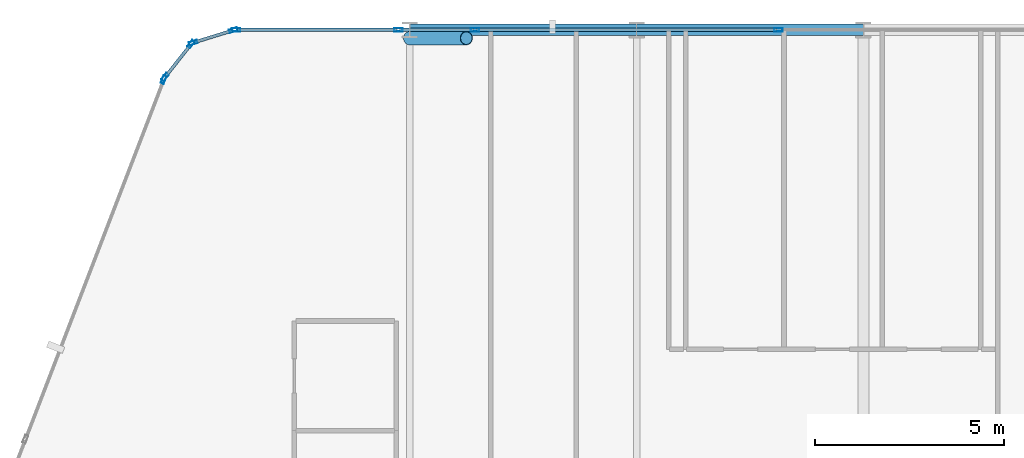
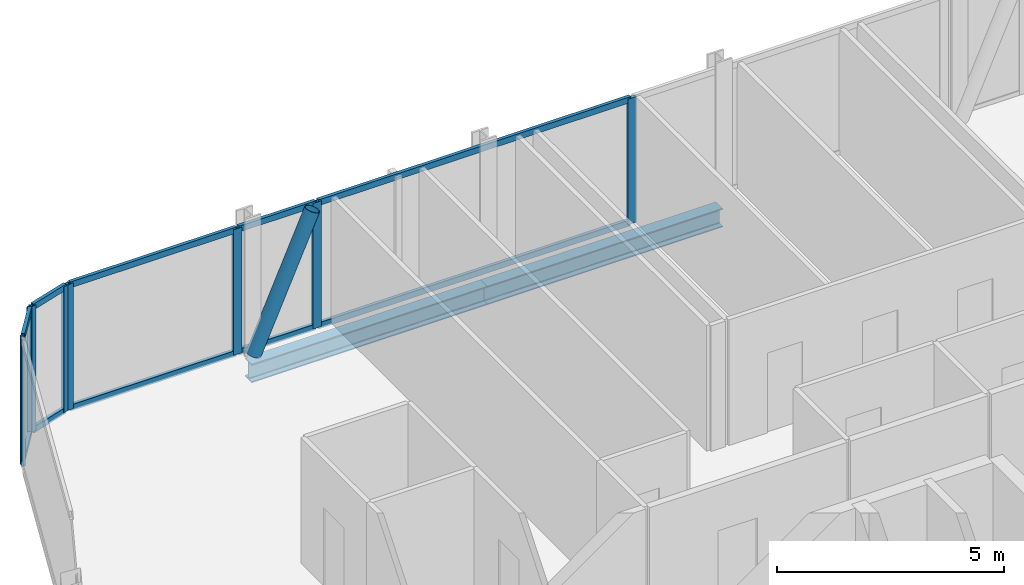
# One storey, part 13 of 34: 20 members, 2 beams, 6 elements without a shape of their own.
"""IFC4 building model written with IfcOpenShell, lengths in metres."""

from ifc_helpers import new_model, si_unit, direction, frame, origin, origin_2d, place, context, subcontext, project, spatial, hollow_rectangle, hollow_circle, i_section, extrude, material, layer, layer_set, material_profile, profile_set, type_object, element, aggregate, save


model = new_model("IFC4")

# Units and contexts
model_context = context("Model", 3, precision=1e-05, world=origin(), true_north=direction((0.0, 1.0)))
body_context = subcontext(model_context, "Body", "Model", "MODEL_VIEW")
ifc_project = project(units=[si_unit("LENGTHUNIT", "METRE"), si_unit("AREAUNIT", "SQUARE_METRE"), si_unit("VOLUMEUNIT", "CUBIC_METRE"), si_unit("PLANEANGLEUNIT", "RADIAN"), si_unit("MASSUNIT", "GRAM", prefix="KILO")], contexts=[model_context])

# Site, building, storey
site_placement = place(None, origin())
site = spatial("IfcSite", under=ifc_project, at=site_placement, CompositionType="ELEMENT")
building_placement = place(site_placement, origin())
building = spatial("IfcBuilding", under=site, at=building_placement, Name="Keshet Zoharim Tower", CompositionType="ELEMENT")
storey_placement = place(building_placement, frame((0.0, 0.0, 38.800048828125)))
storey = spatial("IfcBuildingStorey", under=building, at=storey_placement, Name="L08", CompositionType="ELEMENT", Elevation=38.800048828125)

# Beams
ifc_material_1 = material(Name="Steel S355", Category="steel")
ifc_material_profile_1 = material_profile(ifc_material_1, i_section(OverallWidth=0.300048828125, OverallDepth=0.5, WebThickness=0.014404296875, FlangeThickness=0.028076171875, FilletRadius=0.027099609375, at=origin_2d()), Name="HEB500")
ifc_profile_set_1 = profile_set([ifc_material_profile_1], Name="Steel S355")
beam_type = type_object("IfcBeamType", Name="BM-WEB-HB500", PredefinedType="BEAM", material=ifc_profile_set_1)
for number, where, z_axis, x_axis, name in (
    (1, (21.0, 53.89990234375, -0.56494140625), (1.0, 0.0, 0.0), (0.0, 1.0, 0.0), "L08 Primary Girder X-029"),
    (2, (27.0, 53.89990234375, -0.56494140625), (1.0, 0.0, 0.0), (0.0, 1.0, 0.0), "L08 Primary Girder X-030"),
):
    element("IfcBeam", number, at=place(storey_placement, frame(where, z_axis=z_axis, x_axis=x_axis)), inside=storey, type_object=beam_type, Name=name, PredefinedType="BEAM", context=body_context, shape_type="SweptSolid", body=[
        extrude(i_section(OverallWidth=0.300048828125, OverallDepth=0.5, WebThickness=0.014404296875, FlangeThickness=0.028076171875, FilletRadius=0.027099609375, at=origin_2d()), origin(), (0.0, 0.0, 1.0), 6.0),
    ])

# Curtain wall, member
ifc_material_2 = material(Name="Aluminium 6063-T6", Category="aluminium")
ifc_layer_1 = layer(ifc_material_2, 0.179931640625)
ifc_layer_set_1 = layer_set([ifc_layer_1], Name="Aluminium 6063-T6")
curtain_wall_type_1 = type_object("IfcCurtainWallType", Name="CW-SYS-01", PredefinedType="NOTDEFINED", material=ifc_layer_set_1)
curtain_wall_1_placement = place(storey_placement, origin())
curtain_wall_1 = element("IfcCurtainWall", 3, at=curtain_wall_1_placement, inside=storey, type_object=curtain_wall_type_1, Name="L08 Unitised Curtain Wall 04", PredefinedType="NOTDEFINED")
ifc_material_profile_2 = material_profile(ifc_material_2, hollow_rectangle(XDim=0.090087890625, YDim=0.219970703125, WallThickness=0.0048828125, at=origin_2d()), Name="MUL-90x220")
ifc_profile_set_2 = profile_set([ifc_material_profile_2], Name="Aluminium 6063-T6")
member_type_1 = type_object("IfcMemberType", Name="CWM-M22", PredefinedType="MULLION", material=ifc_profile_set_2)
member_1_placement = place(storey_placement, frame((14.494384765625, 52.58544921875, 0.0), z_axis=(0.0, 0.0, 1.0), x_axis=(-0.933341404361, 0.358990003907, 0.0)))
member_1 = element("IfcMember", 4, at=member_1_placement, type_object=member_type_1, Name="CW-01 mullion 4", PredefinedType="MULLION", context=body_context, shape_type="SweptSolid", body=[
    extrude(hollow_rectangle(XDim=0.090087890625, YDim=0.219970703125, WallThickness=0.0048828125, at=origin_2d()), origin(), (0.0, 0.0, 1.0), 3.385009765625),
])
aggregate(curtain_wall_1, [member_1])

# Curtain wall, members
curtain_wall_2_placement = place(storey_placement, origin())
curtain_wall_2 = element("IfcCurtainWall", 5, at=curtain_wall_2_placement, inside=storey, type_object=curtain_wall_type_1, Name="L08 Unitised Curtain Wall 05", PredefinedType="NOTDEFINED")
member_2_placement = place(storey_placement, frame((14.528564453125, 52.6455078125, 0.0), z_axis=(0.0, 0.0, 1.0), x_axis=(-0.785292825205, 0.619124525989, 0.0)))
member_2 = element("IfcMember", 6, at=member_2_placement, type_object=member_type_1, Name="CW-01 mullion 1", PredefinedType="MULLION", context=body_context, shape_type="SweptSolid", body=[
    extrude(hollow_rectangle(XDim=0.090087890625, YDim=0.219970703125, WallThickness=0.0048828125, at=origin_2d()), origin(), (0.0, 0.0, 1.0), 3.385009765625),
])
member_3_placement = place(storey_placement, frame((15.21923828125, 53.521484375, 0.0), z_axis=(0.0, 0.0, 1.0), x_axis=(-0.785292825205, 0.619124525989, 0.0)))
member_3 = element("IfcMember", 7, at=member_3_placement, type_object=member_type_1, Name="CW-01 mullion 2", PredefinedType="MULLION", context=body_context, shape_type="SweptSolid", body=[
    extrude(hollow_rectangle(XDim=0.090087890625, YDim=0.219970703125, WallThickness=0.0048828125, at=origin_2d()), origin(), (0.0, 0.0, 1.0), 3.385009765625),
])

curtain_wall_3_placement = place(storey_placement, origin())
curtain_wall_3 = element("IfcCurtainWall", 8, at=curtain_wall_3_placement, inside=storey, type_object=curtain_wall_type_1, Name="L08 Unitised Curtain Wall 06", PredefinedType="NOTDEFINED")
member_4_placement = place(storey_placement, frame((15.2744140625, 53.559326171875, 0.0), z_axis=(0.0, 0.0, 1.0), x_axis=(-0.295921857984, 0.955212151288, 0.0)))
member_4 = element("IfcMember", 9, at=member_4_placement, type_object=member_type_1, Name="CW-01 mullion 1", PredefinedType="MULLION", context=body_context, shape_type="SweptSolid", body=[
    extrude(hollow_rectangle(XDim=0.090087890625, YDim=0.219970703125, WallThickness=0.0048828125, at=origin_2d()), origin(), (0.0, 0.0, 1.0), 3.385009765625),
])
member_5_placement = place(storey_placement, frame((16.340576171875, 53.8896484375, 0.0), z_axis=(0.0, 0.0, 1.0), x_axis=(-0.295921857984, 0.955212151288, 0.0)))
member_5 = element("IfcMember", 10, at=member_5_placement, type_object=member_type_1, Name="CW-01 mullion 2", PredefinedType="MULLION", context=body_context, shape_type="SweptSolid", body=[
    extrude(hollow_rectangle(XDim=0.090087890625, YDim=0.219970703125, WallThickness=0.0048828125, at=origin_2d()), origin(), (0.0, 0.0, 1.0), 3.385009765625),
])

ifc_layer_2 = layer(ifc_material_2, 0.169921875)
ifc_layer_set_2 = layer_set([ifc_layer_2], Name="Aluminium 6063-T6")
curtain_wall_type_2 = type_object("IfcCurtainWallType", Name="CW-SYS-02", PredefinedType="NOTDEFINED", material=ifc_layer_set_2)
curtain_wall_4_placement = place(storey_placement, origin())
curtain_wall_4 = element("IfcCurtainWall", 11, at=curtain_wall_4_placement, inside=storey, type_object=curtain_wall_type_2, Name="L08 Unitised Curtain Wall 07", PredefinedType="NOTDEFINED")
member_6_placement = place(storey_placement, frame((16.408935546875, 53.89990234375, 0.0), z_axis=(0.0, 0.0, 1.0), x_axis=(0.0, 1.0, 0.0)))
member_6 = element("IfcMember", 12, at=member_6_placement, type_object=member_type_1, Name="CW-02 mullion 1", PredefinedType="MULLION", context=body_context, shape_type="SweptSolid", body=[
    extrude(hollow_rectangle(XDim=0.090087890625, YDim=0.219970703125, WallThickness=0.0048828125, at=origin_2d()), origin(), (0.0, 0.0, 1.0), 3.385009765625),
])
member_7_placement = place(storey_placement, frame((20.702392578125, 53.89990234375, 0.0), z_axis=(0.0, 0.0, 1.0), x_axis=(0.0, 1.0, 0.0)))
member_7 = element("IfcMember", 13, at=member_7_placement, type_object=member_type_1, Name="CW-02 mullion 2", PredefinedType="MULLION", context=body_context, shape_type="SweptSolid", body=[
    extrude(hollow_rectangle(XDim=0.090087890625, YDim=0.219970703125, WallThickness=0.0048828125, at=origin_2d()), origin(), (0.0, 0.0, 1.0), 3.385009765625),
])

# Curtain wall, member
curtain_wall_5_placement = place(storey_placement, origin())
curtain_wall_5 = element("IfcCurtainWall", 14, at=curtain_wall_5_placement, inside=storey, type_object=curtain_wall_type_2, Name="L08 Unitised Curtain Wall 07 Part 2", PredefinedType="NOTDEFINED")
member_8_placement = place(storey_placement, frame((22.7275390625, 53.89990234375, 0.0), z_axis=(0.0, 0.0, 1.0), x_axis=(0.0, 1.0, 0.0)))
member_8 = element("IfcMember", 15, at=member_8_placement, type_object=member_type_1, Name="CW-02 mullion 2", PredefinedType="MULLION", context=body_context, shape_type="SweptSolid", body=[
    extrude(hollow_rectangle(XDim=0.090087890625, YDim=0.219970703125, WallThickness=0.0048828125, at=origin_2d()), origin(), (0.0, 0.0, 1.0), 3.385009765625),
])

curtain_wall_6_placement = place(storey_placement, origin())
curtain_wall_6 = element("IfcCurtainWall", 16, at=curtain_wall_6_placement, inside=storey, type_object=curtain_wall_type_2, Name="L08 Unitised Curtain Wall 07 Part 3", PredefinedType="NOTDEFINED")
member_9_placement = place(storey_placement, frame((30.75, 53.89990234375, 0.0), z_axis=(0.0, 0.0, 1.0), x_axis=(0.0, 1.0, 0.0)))
member_9 = element("IfcMember", 17, at=member_9_placement, type_object=member_type_1, Name="CW-02 mullion 2", PredefinedType="MULLION", context=body_context, shape_type="SweptSolid", body=[
    extrude(hollow_rectangle(XDim=0.090087890625, YDim=0.219970703125, WallThickness=0.0048828125, at=origin_2d()), origin(), (0.0, 0.0, 1.0), 3.385009765625),
])

# Member
ifc_material_profile_3 = material_profile(ifc_material_2, hollow_rectangle(XDim=0.0849609375, YDim=0.159912109375, WallThickness=0.00439453125, at=origin_2d()), Name="TRN-85x160")
ifc_profile_set_3 = profile_set([ifc_material_profile_3], Name="Aluminium 6063-T6")
member_type_2 = type_object("IfcMemberType", Name="CWT-T16", PredefinedType="USERDEFINED", material=ifc_profile_set_3)
member_10_placement = place(storey_placement, frame((14.55029296875, 52.6728515625, 0.034912109375), z_axis=(0.619099165969, 0.78531281837, 0.0), x_axis=(-0.78531281837, 0.619099165969, 0.0)))
member_10 = element("IfcMember", 18, at=member_10_placement, type_object=member_type_2, Name="CW-01 transom 1.1", ObjectType="TRANSOM", PredefinedType="USERDEFINED", context=body_context, shape_type="SweptSolid", body=[
    extrude(hollow_rectangle(XDim=0.0849609375, YDim=0.159912109375, WallThickness=0.00439453125, at=origin_2d()), origin(), (0.0, 0.0, 1.0), 1.0458984375),
])

member_11_placement = place(storey_placement, frame((14.55029296875, 52.6728515625, 3.349853515625), z_axis=(0.619099165969, 0.78531281837, 0.0), x_axis=(-0.78531281837, 0.619099165969, 0.0)))
member_11 = element("IfcMember", 19, at=member_11_placement, type_object=member_type_2, Name="CW-01 transom 1.2", ObjectType="TRANSOM", PredefinedType="USERDEFINED", context=body_context, shape_type="SweptSolid", body=[
    extrude(hollow_rectangle(XDim=0.0849609375, YDim=0.159912109375, WallThickness=0.00439453125, at=origin_2d()), origin(), (0.0, 0.0, 1.0), 1.0458984375),
])

aggregate(curtain_wall_2, [member_2, member_3, member_10, member_11])

member_12_placement = place(storey_placement, frame((15.307861328125, 53.56982421875, 0.034912109375), z_axis=(0.955212093062, 0.295922045933, 0.0), x_axis=(-0.295922045933, 0.955212093062, 0.0)))
member_12 = element("IfcMember", 20, at=member_12_placement, type_object=member_type_2, Name="CW-01 transom 1.1", ObjectType="TRANSOM", PredefinedType="USERDEFINED", context=body_context, shape_type="SweptSolid", body=[
    extrude(hollow_rectangle(XDim=0.0849609375, YDim=0.159912109375, WallThickness=0.00439453125, at=origin_2d()), origin(), (0.0, 0.0, 1.0), 1.046142578125),
])

member_13_placement = place(storey_placement, frame((15.307861328125, 53.56982421875, 3.349853515625), z_axis=(0.955212093062, 0.295922045933, 0.0), x_axis=(-0.295922045933, 0.955212093062, 0.0)))
member_13 = element("IfcMember", 21, at=member_13_placement, type_object=member_type_2, Name="CW-01 transom 1.2", ObjectType="TRANSOM", PredefinedType="USERDEFINED", context=body_context, shape_type="SweptSolid", body=[
    extrude(hollow_rectangle(XDim=0.0849609375, YDim=0.159912109375, WallThickness=0.00439453125, at=origin_2d()), origin(), (0.0, 0.0, 1.0), 1.046142578125),
])

aggregate(curtain_wall_3, [member_4, member_5, member_12, member_13])

member_14_placement = place(storey_placement, frame((16.444091796875, 53.89990234375, 0.034912109375), z_axis=(1.0, 0.0, 0.0), x_axis=(0.0, 1.0, 0.0)))
member_14 = element("IfcMember", 22, at=member_14_placement, type_object=member_type_2, Name="CW-02 transom 1.1", ObjectType="TRANSOM", PredefinedType="USERDEFINED", context=body_context, shape_type="SweptSolid", body=[
    extrude(hollow_rectangle(XDim=0.0849609375, YDim=0.159912109375, WallThickness=0.00439453125, at=origin_2d()), origin(), (0.0, 0.0, 1.0), 4.223388671875),
])

member_15_placement = place(storey_placement, frame((16.444091796875, 53.89990234375, 3.349853515625), z_axis=(1.0, 0.0, 0.0), x_axis=(0.0, 1.0, 0.0)))
member_15 = element("IfcMember", 23, at=member_15_placement, type_object=member_type_2, Name="CW-02 transom 1.2", ObjectType="TRANSOM", PredefinedType="USERDEFINED", context=body_context, shape_type="SweptSolid", body=[
    extrude(hollow_rectangle(XDim=0.0849609375, YDim=0.159912109375, WallThickness=0.00439453125, at=origin_2d()), origin(), (0.0, 0.0, 1.0), 4.223388671875),
])

aggregate(curtain_wall_4, [member_6, member_7, member_14, member_15])

member_16_placement = place(storey_placement, frame((20.7373046875, 53.89990234375, 0.034912109375), z_axis=(1.0, 0.0, 0.0), x_axis=(0.0, 1.0, 0.0)))
member_16 = element("IfcMember", 24, at=member_16_placement, type_object=member_type_2, Name="CW-02 transom 1.1", ObjectType="TRANSOM", PredefinedType="USERDEFINED", context=body_context, shape_type="SweptSolid", body=[
    extrude(hollow_rectangle(XDim=0.0849609375, YDim=0.159912109375, WallThickness=0.00439453125, at=origin_2d()), origin(), (0.0, 0.0, 1.0), 1.955322265625),
])

member_17_placement = place(storey_placement, frame((20.7373046875, 53.89990234375, 3.349853515625), z_axis=(1.0, 0.0, 0.0), x_axis=(0.0, 1.0, 0.0)))
member_17 = element("IfcMember", 25, at=member_17_placement, type_object=member_type_2, Name="CW-02 transom 1.2", ObjectType="TRANSOM", PredefinedType="USERDEFINED", context=body_context, shape_type="SweptSolid", body=[
    extrude(hollow_rectangle(XDim=0.0849609375, YDim=0.159912109375, WallThickness=0.00439453125, at=origin_2d()), origin(), (0.0, 0.0, 1.0), 1.955322265625),
])

aggregate(curtain_wall_5, [member_8, member_16, member_17])

member_18_placement = place(storey_placement, frame((22.7626953125, 53.89990234375, 0.034912109375), z_axis=(1.0, 0.0, 0.0), x_axis=(0.0, 1.0, 0.0)))
member_18 = element("IfcMember", 26, at=member_18_placement, type_object=member_type_2, Name="CW-02 transom 1.1", ObjectType="TRANSOM", PredefinedType="USERDEFINED", context=body_context, shape_type="SweptSolid", body=[
    extrude(hollow_rectangle(XDim=0.0849609375, YDim=0.159912109375, WallThickness=0.00439453125, at=origin_2d()), origin(), (0.0, 0.0, 1.0), 7.952392578125),
])

member_19_placement = place(storey_placement, frame((22.7626953125, 53.89990234375, 3.349853515625), z_axis=(1.0, 0.0, 0.0), x_axis=(0.0, 1.0, 0.0)))
member_19 = element("IfcMember", 27, at=member_19_placement, type_object=member_type_2, Name="CW-02 transom 1.2", ObjectType="TRANSOM", PredefinedType="USERDEFINED", context=body_context, shape_type="SweptSolid", body=[
    extrude(hollow_rectangle(XDim=0.0849609375, YDim=0.159912109375, WallThickness=0.00439453125, at=origin_2d()), origin(), (0.0, 0.0, 1.0), 7.952392578125),
])

aggregate(curtain_wall_6, [member_9, member_18, member_19])

ifc_material_profile_4 = material_profile(ifc_material_1, hollow_circle(Radius=0.177734375, WallThickness=0.012451171875, at=origin_2d()), Name="CHS355x12.5")
ifc_profile_set_4 = profile_set([ifc_material_profile_4], Name="Steel S355")
member_type_3 = type_object("IfcMemberType", Name="MB-BR-C355", PredefinedType="BRACE", material=ifc_profile_set_4)
member_20_placement = place(storey_placement, frame((21.0, 53.679931640625, 0.0), z_axis=(0.405134846829, 0.0, 0.91425694194), x_axis=(0.0, 1.0, 0.0)))
element("IfcMember", 28, at=member_20_placement, inside=storey, type_object=member_type_3, Name="L08 Perimeter Tube Brace 01", PredefinedType="BRACE", context=body_context, shape_type="SweptSolid", body=[
    extrude(hollow_circle(Radius=0.177734375, WallThickness=0.012451171875, at=origin_2d()), origin(), (0.0, 0.0, 1.0), 3.702392578125),
])

save(model, "model.ifc")
